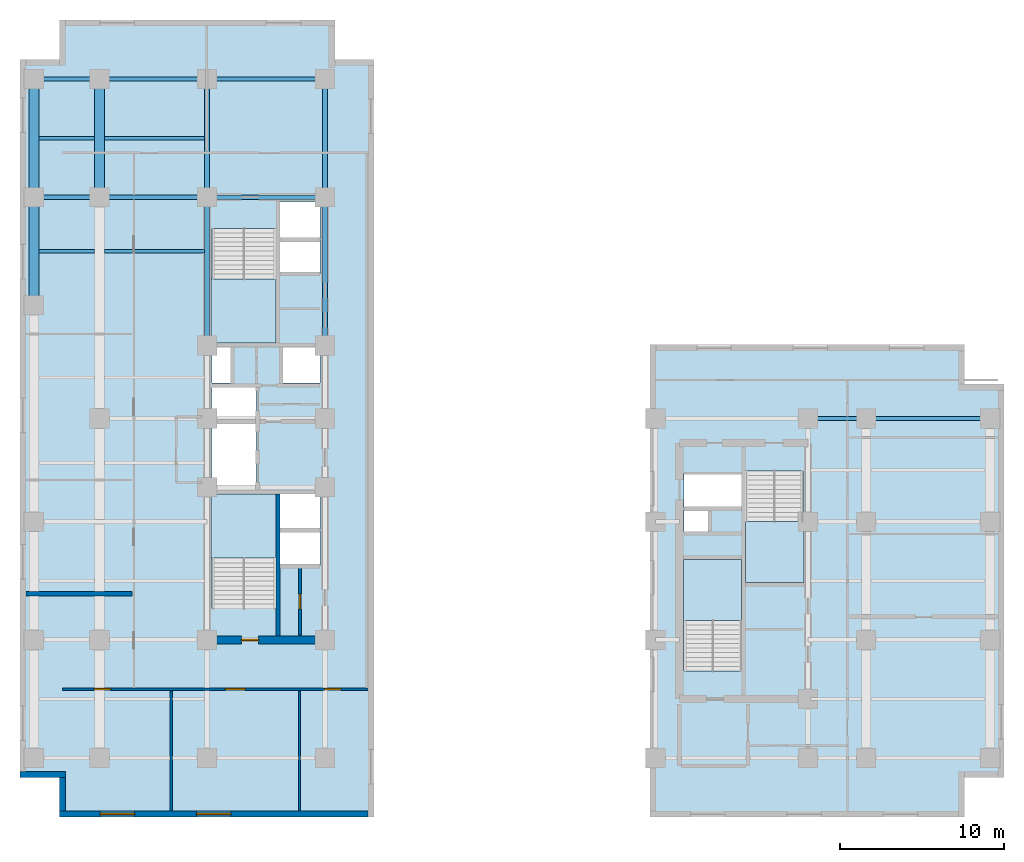
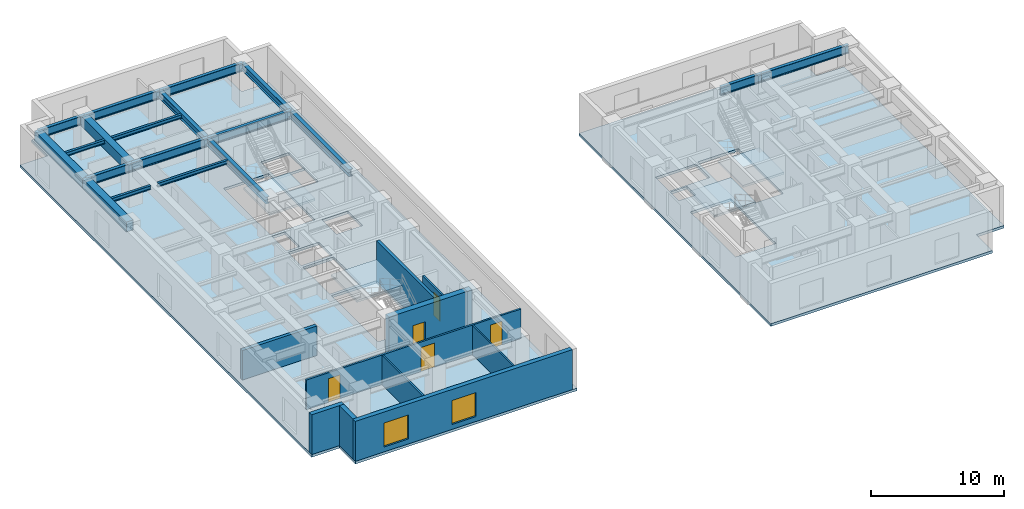
# One storey, part 2 of 9: 19 beams, 10 walls, 6 slabs, 5 doors, 2 windows, 7 openings, 4 elements without a shape of their own.
"""IFC4 building model written with IfcOpenShell, lengths in metres."""

from ifc_helpers import new_model, entity, si_unit, converted_unit, direction, frame, origin_with_axes, origin_2d_with_axis, place, context, subcontext, project, spatial, polyline, rectangle, i_section, outline, extrude, material, layer, layer_set, material_profile, profile_set, type_object, element, fill, aggregate, save


model = new_model("IFC4")

# Units and contexts
model_context = context("Model", 3, precision=1e-05, world=origin_with_axes(), true_north=direction((0.0, 1.0)))
body_context = subcontext(model_context, "Body", "Model", "MODEL_VIEW")
ifc_project = project(units=[si_unit("LENGTHUNIT", "METRE"), si_unit("AREAUNIT", "SQUARE_METRE"), si_unit("VOLUMEUNIT", "CUBIC_METRE"), converted_unit("PLANEANGLEUNIT", "DEGREE", entity("IfcPlaneAngleMeasure", 0.017453292519943295), si_unit("PLANEANGLEUNIT", "RADIAN"), dimensions=[0, 0, 0, 0, 0, 0, 0]), si_unit("MASSUNIT", "GRAM", prefix="KILO"), si_unit("THERMODYNAMICTEMPERATUREUNIT", "KELVIN")], contexts=[model_context])

# Site, building, storey
site_placement = place(None, origin_with_axes())
site = spatial("IfcSite", under=ifc_project, at=site_placement, CompositionType="ELEMENT")
building_placement = place(site_placement, origin_with_axes())
building = spatial("IfcBuilding", under=site, at=building_placement, Name="Varnlund Millrace Tower", CompositionType="ELEMENT")
storey_placement = place(building_placement, frame((0.0, 0.0, 93.0), z_axis=(0.0, 0.0, 1.0), x_axis=(1.0, 0.0, 0.0)))
storey = spatial("IfcBuildingStorey", under=building, at=storey_placement, Name="L22", CompositionType="ELEMENT", Elevation=93.0)

# Beams
ifc_material_1 = material(Name="Steel ASTM A992 Grade 50", Category="steel")
ifc_material_profile_1 = material_profile(ifc_material_1, i_section(OverallWidth=0.328, OverallDepth=0.628, WebThickness=0.0165, FlangeThickness=0.0277, FilletRadius=0.018, at=origin_2d_with_axis()), Name="Steel ASTM A992 Grade 50")
ifc_profile_set_1 = profile_set([ifc_material_profile_1], Name="Steel ASTM A992 Grade 50")
beam_type_1 = type_object("IfcBeamType", Name="Type-Girder-W24X146", PredefinedType="USERDEFINED", material=ifc_profile_set_1)
beam_1_placement = place(storey_placement, frame((11.4, 28.75, 3.346), z_axis=(0.0, 1.0, 0.0), x_axis=(-1.0, 0.0, 0.0)))
element("IfcBeam", 1, at=beam_1_placement, inside=storey, type_object=beam_type_1, Name="Type-Girder-W24X146", ObjectType="GIRDER", PredefinedType="USERDEFINED", context=body_context, shape_type="SweptSolid", body=[
    extrude(i_section(OverallWidth=0.328, OverallDepth=0.628, WebThickness=0.0165, FlangeThickness=0.0277, FilletRadius=0.018, at=origin_2d_with_axis()), origin_with_axes(), (0.0, 0.0, 1.0), 9.05),
])
beam_2_placement = place(storey_placement, frame((11.4, 37.8, 3.346), z_axis=(0.0, 1.0, 0.0), x_axis=(-1.0, 0.0, 0.0)))
element("IfcBeam", 2, at=beam_2_placement, inside=storey, type_object=beam_type_1, Name="Type-Girder-W24X146", ObjectType="GIRDER", PredefinedType="USERDEFINED", context=body_context, shape_type="SweptSolid", body=[
    extrude(i_section(OverallWidth=0.328, OverallDepth=0.628, WebThickness=0.0165, FlangeThickness=0.0277, FilletRadius=0.018, at=origin_2d_with_axis()), origin_with_axes(), (0.0, 0.0, 1.0), 7.2),
])
beam_3_placement = place(storey_placement, frame((18.6, 28.75, 3.346), z_axis=(0.0, 1.0, 0.0), x_axis=(-1.0, 0.0, 0.0)))
element("IfcBeam", 3, at=beam_3_placement, inside=storey, type_object=beam_type_1, Name="Type-Girder-W24X146", ObjectType="GIRDER", PredefinedType="USERDEFINED", context=body_context, shape_type="SweptSolid", body=[
    extrude(i_section(OverallWidth=0.328, OverallDepth=0.628, WebThickness=0.0165, FlangeThickness=0.0277, FilletRadius=0.018, at=origin_2d_with_axis()), origin_with_axes(), (0.0, 0.0, 1.0), 9.05),
])
beam_4_placement = place(storey_placement, frame((18.6, 37.8, 3.346), z_axis=(0.0, 1.0, 0.0), x_axis=(-1.0, 0.0, 0.0)))
element("IfcBeam", 4, at=beam_4_placement, inside=storey, type_object=beam_type_1, Name="Type-Girder-W24X146", ObjectType="GIRDER", PredefinedType="USERDEFINED", context=body_context, shape_type="SweptSolid", body=[
    extrude(i_section(OverallWidth=0.328, OverallDepth=0.628, WebThickness=0.0165, FlangeThickness=0.0277, FilletRadius=0.018, at=origin_2d_with_axis()), origin_with_axes(), (0.0, 0.0, 1.0), 7.2),
])
ifc_material_profile_2 = material_profile(ifc_material_1, i_section(OverallWidth=0.266, OverallDepth=0.779, WebThickness=0.0165, FlangeThickness=0.03, FilletRadius=0.02, at=origin_2d_with_axis()), Name="Steel ASTM A992 Grade 50")
ifc_profile_set_2 = profile_set([ifc_material_profile_2], Name="Steel ASTM A992 Grade 50")
beam_type_2 = type_object("IfcBeamType", Name="Type-Girder-W30X148", PredefinedType="USERDEFINED", material=ifc_profile_set_2)
beam_5_placement = place(storey_placement, frame((48.05, 24.3, 3.2705), z_axis=(1.0, 0.0, 0.0), x_axis=(0.0, 1.0, 0.0)))
element("IfcBeam", 5, at=beam_5_placement, inside=storey, type_object=beam_type_2, Name="Type-Girder-W30X148", ObjectType="GIRDER", PredefinedType="USERDEFINED", context=body_context, shape_type="SweptSolid", body=[
    extrude(i_section(OverallWidth=0.266, OverallDepth=0.779, WebThickness=0.0165, FlangeThickness=0.03, FilletRadius=0.02, at=origin_2d_with_axis()), origin_with_axes(), (0.0, 0.0, 1.0), 3.55),
])
beam_6_placement = place(storey_placement, frame((51.6, 24.3, 3.2705), z_axis=(1.0, 0.0, 0.0), x_axis=(0.0, 1.0, 0.0)))
element("IfcBeam", 6, at=beam_6_placement, inside=storey, type_object=beam_type_2, Name="Type-Girder-W30X148", ObjectType="GIRDER", PredefinedType="USERDEFINED", context=body_context, shape_type="SweptSolid", body=[
    extrude(i_section(OverallWidth=0.266, OverallDepth=0.779, WebThickness=0.0165, FlangeThickness=0.03, FilletRadius=0.02, at=origin_2d_with_axis()), origin_with_axes(), (0.0, 0.0, 1.0), 7.55),
])
beam_7_placement = place(storey_placement, frame((0.85, 37.8, 3.2705), z_axis=(1.0, 0.0, 0.0), x_axis=(0.0, 1.0, 0.0)))
element("IfcBeam", 7, at=beam_7_placement, inside=storey, type_object=beam_type_2, Name="Type-Girder-W30X148", ObjectType="GIRDER", PredefinedType="USERDEFINED", context=body_context, shape_type="SweptSolid", body=[
    extrude(i_section(OverallWidth=0.266, OverallDepth=0.779, WebThickness=0.0165, FlangeThickness=0.03, FilletRadius=0.02, at=origin_2d_with_axis()), origin_with_axes(), (0.0, 0.0, 1.0), 4.0),
])
beam_8_placement = place(storey_placement, frame((4.85, 37.8, 3.2705), z_axis=(1.0, 0.0, 0.0), x_axis=(0.0, 1.0, 0.0)))
element("IfcBeam", 8, at=beam_8_placement, inside=storey, type_object=beam_type_2, Name="Type-Girder-W30X148", ObjectType="GIRDER", PredefinedType="USERDEFINED", context=body_context, shape_type="SweptSolid", body=[
    extrude(i_section(OverallWidth=0.266, OverallDepth=0.779, WebThickness=0.0165, FlangeThickness=0.03, FilletRadius=0.02, at=origin_2d_with_axis()), origin_with_axes(), (0.0, 0.0, 1.0), 6.55),
])
beam_9_placement = place(storey_placement, frame((11.4, 37.8, 3.2705), z_axis=(1.0, 0.0, 0.0), x_axis=(0.0, 1.0, 0.0)))
element("IfcBeam", 9, at=beam_9_placement, inside=storey, type_object=beam_type_2, Name="Type-Girder-W30X148", ObjectType="GIRDER", PredefinedType="USERDEFINED", context=body_context, shape_type="SweptSolid", body=[
    extrude(i_section(OverallWidth=0.266, OverallDepth=0.779, WebThickness=0.0165, FlangeThickness=0.03, FilletRadius=0.02, at=origin_2d_with_axis()), origin_with_axes(), (0.0, 0.0, 1.0), 7.2),
])
beam_10_placement = place(storey_placement, frame((0.85, 45.0, 3.2705), z_axis=(1.0, 0.0, 0.0), x_axis=(0.0, 1.0, 0.0)))
element("IfcBeam", 10, at=beam_10_placement, inside=storey, type_object=beam_type_2, Name="Type-Girder-W30X148", ObjectType="GIRDER", PredefinedType="USERDEFINED", context=body_context, shape_type="SweptSolid", body=[
    extrude(i_section(OverallWidth=0.266, OverallDepth=0.779, WebThickness=0.0165, FlangeThickness=0.03, FilletRadius=0.02, at=origin_2d_with_axis()), origin_with_axes(), (0.0, 0.0, 1.0), 4.0),
])
beam_11_placement = place(storey_placement, frame((4.85, 45.0, 3.2705), z_axis=(1.0, 0.0, 0.0), x_axis=(0.0, 1.0, 0.0)))
element("IfcBeam", 11, at=beam_11_placement, inside=storey, type_object=beam_type_2, Name="Type-Girder-W30X148", ObjectType="GIRDER", PredefinedType="USERDEFINED", context=body_context, shape_type="SweptSolid", body=[
    extrude(i_section(OverallWidth=0.266, OverallDepth=0.779, WebThickness=0.0165, FlangeThickness=0.03, FilletRadius=0.02, at=origin_2d_with_axis()), origin_with_axes(), (0.0, 0.0, 1.0), 6.55),
])
beam_12_placement = place(storey_placement, frame((11.4, 45.0, 3.2705), z_axis=(1.0, 0.0, 0.0), x_axis=(0.0, 1.0, 0.0)))
element("IfcBeam", 12, at=beam_12_placement, inside=storey, type_object=beam_type_2, Name="Type-Girder-W30X148", ObjectType="GIRDER", PredefinedType="USERDEFINED", context=body_context, shape_type="SweptSolid", body=[
    extrude(i_section(OverallWidth=0.266, OverallDepth=0.779, WebThickness=0.0165, FlangeThickness=0.03, FilletRadius=0.02, at=origin_2d_with_axis()), origin_with_axes(), (0.0, 0.0, 1.0), 7.2),
])
ifc_material_profile_3 = material_profile(ifc_material_1, i_section(OverallWidth=0.204, OverallDepth=0.35, WebThickness=0.0086, FlangeThickness=0.0151, FilletRadius=0.013, at=origin_2d_with_axis()), Name="Steel ASTM A992 Grade 50")
ifc_profile_set_3 = profile_set([ifc_material_profile_3], Name="Steel ASTM A992 Grade 50")
beam_type_3 = type_object("IfcBeamType", Name="Type-Joist-W14X48", PredefinedType="JOIST", material=ifc_profile_set_3)
for number, where, z_axis, x_axis, name in (
    (13, (1.15, 34.5, 3.485), (1.0, 0.0, 0.0), (0.0, 1.0, 0.0), "Type-Joist-W14X48"),
    (14, (1.15, 41.4, 3.485), (1.0, 0.0, 0.0), (0.0, 1.0, 0.0), "Type-Joist-W14X48"),
):
    element("IfcBeam", number, at=place(storey_placement, frame(where, z_axis=z_axis, x_axis=x_axis)), inside=storey, type_object=beam_type_3, Name=name, PredefinedType="JOIST", context=body_context, shape_type="SweptSolid", body=[
        extrude(i_section(OverallWidth=0.204, OverallDepth=0.35, WebThickness=0.0086, FlangeThickness=0.0151, FilletRadius=0.013, at=origin_2d_with_axis()), origin_with_axes(), (0.0, 0.0, 1.0), 3.4),
    ])
for number, where, z_axis, x_axis, name in (
    (15, (5.15, 34.5, 3.485), (1.0, 0.0, 0.0), (0.0, 1.0, 0.0), "Type-Joist-W14X48"),
    (16, (5.15, 41.4, 3.485), (1.0, 0.0, 0.0), (0.0, 1.0, 0.0), "Type-Joist-W14X48"),
):
    element("IfcBeam", number, at=place(storey_placement, frame(where, z_axis=z_axis, x_axis=x_axis)), inside=storey, type_object=beam_type_3, Name=name, PredefinedType="JOIST", context=body_context, shape_type="SweptSolid", body=[
        extrude(i_section(OverallWidth=0.204, OverallDepth=0.35, WebThickness=0.0086, FlangeThickness=0.0151, FilletRadius=0.013, at=origin_2d_with_axis()), origin_with_axes(), (0.0, 0.0, 1.0), 6.086),
    ])
ifc_material_2 = material(Name="Concrete C70/85", Category="concrete")
ifc_material_profile_4 = material_profile(ifc_material_2, rectangle(XDim=0.6, YDim=0.9, at=origin_2d_with_axis()), Name="Concrete C70/85")
ifc_profile_set_4 = profile_set([ifc_material_profile_4], Name="Concrete C70/85")
beam_type_4 = type_object("IfcBeamType", Name="Type-Spandrel-RC600X900", PredefinedType="SPANDREL", material=ifc_profile_set_4)
beam_13_placement = place(storey_placement, frame((0.85, 31.2, 3.21), z_axis=(0.0, 1.0, 0.0), x_axis=(-1.0, 0.0, 0.0)))
element("IfcBeam", 17, at=beam_13_placement, inside=storey, type_object=beam_type_4, Name="Type-Spandrel-RC600X900", PredefinedType="SPANDREL", context=body_context, shape_type="SweptSolid", body=[
    extrude(rectangle(XDim=0.6, YDim=0.9, at=origin_2d_with_axis()), origin_with_axes(), (0.0, 0.0, 1.0), 6.6),
])
for number, where, z_axis, x_axis, name in (
    (18, (0.85, 37.8, 3.21), (0.0, 1.0, 0.0), (-1.0, 0.0, 0.0), "Type-Spandrel-RC600X900"),
    (19, (4.85, 37.8, 3.21), (0.0, 1.0, 0.0), (-1.0, 0.0, 0.0), "Type-Spandrel-RC600X900"),
):
    element("IfcBeam", number, at=place(storey_placement, frame(where, z_axis=z_axis, x_axis=x_axis)), inside=storey, type_object=beam_type_4, Name=name, PredefinedType="SPANDREL", context=body_context, shape_type="SweptSolid", body=[
        extrude(rectangle(XDim=0.6, YDim=0.9, at=origin_2d_with_axis()), origin_with_axes(), (0.0, 0.0, 1.0), 7.2),
    ])

# Slabs
ifc_material_3 = material(Name="Concrete C60/75", Category="concrete")
ifc_layer_1 = layer(ifc_material_3, 0.24, Name="Concrete C60/75")
ifc_layer_set_1 = layer_set([ifc_layer_1], Name="Concrete C60/75")
slab_type_1 = type_object("IfcSlabType", Name="Type-Deck-Plate-Typical-240", PredefinedType="FLOOR", material=ifc_layer_set_1)
slab_1_placement = place(storey_placement, frame((0.0, 0.0, -0.24), z_axis=(0.0, 0.0, 1.0), x_axis=(1.0, 0.0, 0.0)))
element("IfcSlab", 20, at=slab_1_placement, inside=storey, type_object=slab_type_1, Name="Type-Deck-Plate-Typical-240", PredefinedType="FLOOR", context=body_context, shape_type="SweptSolid", body=[
    extrude(outline(polyline([(2.4, 2.4), (2.4, 0.0), (21.6, 0.0), (21.6, 46.2), (19.2, 46.2), (19.2, 48.6), (2.4, 48.6), (2.4, 46.2), (0.0, 46.2), (0.0, 2.4), (2.4, 2.4)]), holes=[polyline([(15.6, 19.7), (15.6, 12.715), (11.7, 12.715), (11.7, 19.7), (15.6, 19.7)]), polyline([(11.7, 23.98), (14.38, 23.98), (14.38, 19.94), (11.7, 19.94), (11.7, 23.98)]), polyline([(14.38, 24.24), (11.7, 24.24), (11.7, 26.2), (14.38, 26.2), (14.38, 24.24)]), polyline([(12.84, 26.46), (11.7, 26.46), (11.7, 28.65), (12.84, 28.65), (12.84, 26.46)]), polyline([(15.6, 35.885), (15.6, 28.9), (11.7, 28.9), (11.7, 35.885), (15.6, 35.885)]), polyline([(18.3, 15.34), (15.84, 15.34), (15.84, 17.46), (18.3, 17.46), (18.3, 15.34)]), polyline([(18.3, 17.52), (15.84, 17.52), (15.84, 19.7), (18.3, 19.7), (18.3, 17.52)]), polyline([(18.3, 28.65), (18.3, 26.46), (16.04, 26.46), (16.04, 28.65), (18.3, 28.65)]), polyline([(18.3, 33.12), (15.84, 33.12), (15.84, 35.18), (18.3, 35.18), (18.3, 33.12)]), polyline([(18.3, 35.22), (15.84, 35.22), (15.84, 37.5), (18.3, 37.5), (18.3, 35.22)])]), origin_with_axes(), (0.0, 0.0, 1.0), 0.24),
])
slab_2_placement = place(storey_placement, frame((0.0, 0.0, -0.24), z_axis=(0.0, 0.0, 1.0), x_axis=(1.0, 0.0, 0.0)))
element("IfcSlab", 21, at=slab_2_placement, inside=storey, type_object=slab_type_1, Name="Type-Deck-Plate-Typical-240", PredefinedType="FLOOR", context=body_context, shape_type="SweptSolid", body=[
    extrude(outline(polyline([(38.4, 0.0), (57.6, 0.0), (57.6, 2.4), (60.0, 2.4), (60.0, 26.4), (57.6, 26.4), (57.6, 28.8), (38.4, 28.8), (38.4, 0.0)]), holes=[polyline([(40.5, 15.7), (44.0, 15.7), (44.0, 8.915), (40.5, 8.915), (40.5, 15.7)]), polyline([(44.25, 21.085), (47.75, 21.085), (47.75, 14.3), (44.25, 14.3), (44.25, 21.085)]), polyline([(40.5, 18.72), (41.95, 18.72), (41.95, 17.42), (40.5, 17.42), (40.5, 18.72)]), polyline([(40.5, 20.94), (44.0, 20.94), (44.0, 18.88), (40.5, 18.88), (40.5, 20.94)])]), origin_with_axes(), (0.0, 0.0, 1.0), 0.24),
])

# Stair, slab
ifc_material_4 = material(Name="Concrete C50/60", Category="concrete")
stair_type_1 = type_object("IfcStairType", Name="Type-Stair-Dogleg-185-390", PredefinedType="HALF_TURN_STAIR", material=ifc_material_4)
stair_1_placement = place(storey_placement, origin_with_axes())
stair_1 = element("IfcStair", 22, at=stair_1_placement, inside=storey, type_object=stair_type_1, Name="Type-Stair-Dogleg-185-390", PredefinedType="HALF_TURN_STAIR")
ifc_layer_2 = layer(ifc_material_4, 0.2, Name="Concrete C50/60")
ifc_layer_set_2 = layer_set([ifc_layer_2], Name="Concrete C50/60")
slab_type_2 = type_object("IfcSlabType", Name="Type-StairLanding-200", PredefinedType="LANDING", material=ifc_layer_set_2)
slab_3_placement = place(storey_placement, frame((0.0, 0.0, 1.75), z_axis=(0.0, 0.0, 1.0), x_axis=(1.0, 0.0, 0.0)))
slab_3 = element("IfcSlab", 23, at=slab_3_placement, type_object=slab_type_2, Name="ST-A1 landing 1", PredefinedType="LANDING", context=body_context, shape_type="SweptSolid", body=[
    extrude(outline(polyline([(15.6, 15.78), (15.6, 19.7), (11.65, 19.7), (11.65, 15.78), (15.6, 15.78)])), origin_with_axes(), (0.0, 0.0, 1.0), 0.2),
])
aggregate(stair_1, [slab_3])

stair_2_placement = place(storey_placement, origin_with_axes())
stair_2 = element("IfcStair", 24, at=stair_2_placement, inside=storey, type_object=stair_type_1, Name="Type-Stair-Dogleg-185-390", PredefinedType="HALF_TURN_STAIR")
slab_4_placement = place(storey_placement, frame((0.0, 0.0, 1.75), z_axis=(0.0, 0.0, 1.0), x_axis=(1.0, 0.0, 0.0)))
slab_4 = element("IfcSlab", 25, at=slab_4_placement, type_object=slab_type_2, Name="ST-A2 landing 1", PredefinedType="LANDING", context=body_context, shape_type="SweptSolid", body=[
    extrude(outline(polyline([(11.65, 32.82), (11.65, 28.9), (15.6, 28.9), (15.6, 32.82), (11.65, 32.82)])), origin_with_axes(), (0.0, 0.0, 1.0), 0.2),
])
aggregate(stair_2, [slab_4])

stair_type_2 = type_object("IfcStairType", Name="Type-Stair-Dogleg-165-390", PredefinedType="HALF_TURN_STAIR", material=ifc_material_4)
stair_3_placement = place(storey_placement, origin_with_axes())
stair_3 = element("IfcStair", 26, at=stair_3_placement, inside=storey, type_object=stair_type_2, Name="Type-Stair-Dogleg-165-390", PredefinedType="HALF_TURN_STAIR")
slab_5_placement = place(storey_placement, frame((0.0, 0.0, 1.75), z_axis=(0.0, 0.0, 1.0), x_axis=(1.0, 0.0, 0.0)))
slab_5 = element("IfcSlab", 27, at=slab_5_placement, type_object=slab_type_2, Name="ST-B1 landing 1", PredefinedType="LANDING", context=body_context, shape_type="SweptSolid", body=[
    extrude(outline(polyline([(44.0, 11.98), (44.0, 15.7), (40.45, 15.7), (40.45, 11.98), (44.0, 11.98)])), origin_with_axes(), (0.0, 0.0, 1.0), 0.2),
])
aggregate(stair_3, [slab_5])

stair_4_placement = place(storey_placement, origin_with_axes())
stair_4 = element("IfcStair", 28, at=stair_4_placement, inside=storey, type_object=stair_type_2, Name="Type-Stair-Dogleg-165-390", PredefinedType="HALF_TURN_STAIR")
slab_6_placement = place(storey_placement, frame((0.0, 0.0, 1.75), z_axis=(0.0, 0.0, 1.0), x_axis=(1.0, 0.0, 0.0)))
slab_6 = element("IfcSlab", 29, at=slab_6_placement, type_object=slab_type_2, Name="ST-B2 landing 1", PredefinedType="LANDING", context=body_context, shape_type="SweptSolid", body=[
    extrude(outline(polyline([(44.25, 18.02), (44.25, 14.3), (47.8, 14.3), (47.8, 18.02), (44.25, 18.02)])), origin_with_axes(), (0.0, 0.0, 1.0), 0.2),
])
aggregate(stair_4, [slab_6])

# Wall, opening, door
ifc_layer_3 = layer(ifc_material_2, 0.5, Name="Concrete C70/85")
ifc_layer_set_3 = layer_set([ifc_layer_3], Name="Concrete C70/85")
wall_type_1 = type_object("IfcWallType", Name="Type-CoreWall-Shear-500-C70", PredefinedType="SHEAR", material=ifc_layer_set_3)
wall_1_placement = place(storey_placement, frame((11.4, 10.8, 0.0), z_axis=(0.0, 0.0, 1.0), x_axis=(1.0, 0.0, 0.0)))
wall_1 = element("IfcWall", 30, at=wall_1_placement, inside=storey, type_object=wall_type_1, Name="Type-CoreWall-Shear-500-C70", PredefinedType="SHEAR", context=body_context, shape_type="SweptSolid", body=[
    extrude(outline(polyline([(0.0, -0.25), (7.2, -0.25), (7.2, 0.25), (0.0, 0.25), (0.0, -0.25)])), origin_with_axes(), (0.0, 0.0, 1.0), 3.66),
])
opening_1_placement = place(wall_1_placement, frame((2.625, 0.0, 0.0), z_axis=(0.0, 0.0, 1.0), x_axis=(1.0, 0.0, 0.0)))
opening_1 = element("IfcOpeningElement", 31, at=opening_1_placement, cuts=wall_1, Name="Opening L22:DR-STA1", PredefinedType="OPENING", context=body_context, shape_type="SweptSolid", body=[
    extrude(rectangle(XDim=1.05, YDim=0.52, at=origin_2d_with_axis()), origin_with_axes(), (0.0, 0.0, 1.0), 2.15),
])
ifc_material_5 = material(Name="Fire-rated hollow steel door", Category="steel")
door_type_1 = type_object("IfcDoorType", Name="Type-FireDoor-Stair-1050X2150", OperationType="NOTDEFINED", PredefinedType="DOOR", material=ifc_material_5)
door_1_placement = place(wall_1_placement, frame((2.625, 0.0, 0.0), z_axis=(0.0, 0.0, 1.0), x_axis=(1.0, 0.0, 0.0)))
door_1 = element("IfcDoor", 32, at=door_1_placement, inside=storey, type_object=door_type_1, Name="Type-FireDoor-Stair-1050X2150", OperationType="SINGLE_SWING_LEFT", OverallHeight=2.15, OverallWidth=1.05, PredefinedType="DOOR", context=body_context, shape_type="SweptSolid", body=[
    extrude(rectangle(XDim=1.05, YDim=0.09, at=origin_2d_with_axis()), origin_with_axes(), (0.0, 0.0, 1.0), 2.15),
])
fill(opening_1, door_1)

# Wall, openings, windows
ifc_material_6 = material(Name="Precast concrete C50/60", Category="concrete")
ifc_layer_4 = layer(ifc_material_6, 0.38, Name="Precast concrete C50/60")
ifc_layer_set_4 = layer_set([ifc_layer_4], Name="Precast concrete C50/60")
wall_type_2 = type_object("IfcWallType", Name="Type-ExtWall-Precast-Tube-380", PredefinedType="SOLIDWALL", material=ifc_layer_set_4)
wall_2_placement = place(storey_placement, frame((21.22, 0.19, 0.0), z_axis=(0.0, 0.0, 1.0), x_axis=(-1.0, 0.0, 0.0)))
wall_2 = element("IfcWall", 33, at=wall_2_placement, inside=storey, type_object=wall_type_2, Name="Type-ExtWall-Precast-Tube-380", PredefinedType="SOLIDWALL", context=body_context, shape_type="SweptSolid", body=[
    extrude(outline(polyline([(0.0, -0.19), (18.82, -0.19), (18.82, 0.19), (0.0, 0.19), (0.0, -0.19)])), origin_with_axes(), (0.0, 0.0, 1.0), 3.66),
])
opening_2_placement = place(wall_2_placement, frame((9.41, 0.0, 0.45), z_axis=(0.0, 0.0, 1.0), x_axis=(1.0, 0.0, 0.0)))
opening_2 = element("IfcOpeningElement", 34, at=opening_2_placement, cuts=wall_2, Name="Opening L22:WN-10", PredefinedType="OPENING", context=body_context, shape_type="SweptSolid", body=[
    extrude(rectangle(XDim=2.1, YDim=0.4, at=origin_2d_with_axis()), origin_with_axes(), (0.0, 0.0, 1.0), 2.2),
])
opening_3_placement = place(wall_2_placement, frame((15.283, 0.0, 0.45), z_axis=(0.0, 0.0, 1.0), x_axis=(1.0, 0.0, 0.0)))
opening_3 = element("IfcOpeningElement", 35, at=opening_3_placement, cuts=wall_2, Name="Opening L22:WN-11", PredefinedType="OPENING", context=body_context, shape_type="SweptSolid", body=[
    extrude(rectangle(XDim=2.1, YDim=0.4, at=origin_2d_with_axis()), origin_with_axes(), (0.0, 0.0, 1.0), 2.2),
])
ifc_material_7 = material(Name="Argon low-e triple glazing in thermally broken bronze frame", Category="glass")
window_type = type_object("IfcWindowType", Name="Type-Window-Punched-2100X2200", PartitioningType="SINGLE_PANEL", PredefinedType="WINDOW", material=ifc_material_7)
window_1_placement = place(wall_2_placement, frame((9.41, 0.0, 0.45), z_axis=(0.0, 0.0, 1.0), x_axis=(1.0, 0.0, 0.0)))
window_1 = element("IfcWindow", 36, at=window_1_placement, inside=storey, type_object=window_type, Name="Type-Window-Punched-2100X2200", OverallHeight=2.2, OverallWidth=2.1, PredefinedType="WINDOW", context=body_context, shape_type="SweptSolid", body=[
    extrude(rectangle(XDim=2.1, YDim=0.09, at=origin_2d_with_axis()), origin_with_axes(), (0.0, 0.0, 1.0), 2.2),
])
fill(opening_2, window_1)
window_2_placement = place(wall_2_placement, frame((15.283, 0.0, 0.45), z_axis=(0.0, 0.0, 1.0), x_axis=(1.0, 0.0, 0.0)))
window_2 = element("IfcWindow", 37, at=window_2_placement, inside=storey, type_object=window_type, Name="Type-Window-Punched-2100X2200", OverallHeight=2.2, OverallWidth=2.1, PredefinedType="WINDOW", context=body_context, shape_type="SweptSolid", body=[
    extrude(rectangle(XDim=2.1, YDim=0.09, at=origin_2d_with_axis()), origin_with_axes(), (0.0, 0.0, 1.0), 2.2),
])
fill(opening_3, window_2)

# Walls
wall_3_placement = place(storey_placement, frame((2.59, 0.38, 0.0), z_axis=(0.0, 0.0, 1.0), x_axis=(0.0, 1.0, 0.0)))
element("IfcWall", 38, at=wall_3_placement, inside=storey, type_object=wall_type_2, Name="Type-ExtWall-Precast-Tube-380", PredefinedType="SOLIDWALL", context=body_context, shape_type="SweptSolid", body=[
    extrude(outline(polyline([(0.0, -0.19), (2.02, -0.19), (2.02, 0.19), (0.0, 0.19), (0.0, -0.19)])), origin_with_axes(), (0.0, 0.0, 1.0), 3.66),
])
wall_4_placement = place(storey_placement, frame((2.78, 2.59, 0.0), z_axis=(0.0, 0.0, 1.0), x_axis=(-1.0, 0.0, 0.0)))
element("IfcWall", 39, at=wall_4_placement, inside=storey, type_object=wall_type_2, Name="Type-ExtWall-Precast-Tube-380", PredefinedType="SOLIDWALL", context=body_context, shape_type="SweptSolid", body=[
    extrude(outline(polyline([(0.0, -0.19), (2.78, -0.19), (2.78, 0.19), (0.0, 0.19), (0.0, -0.19)])), origin_with_axes(), (0.0, 0.0, 1.0), 3.66),
])
ifc_material_8 = material(Name="Double-stud STC-60 conference acoustic partition", Category="gypsum")
ifc_layer_5 = layer(ifc_material_8, 0.28, Name="Double-stud STC-60 conference acoustic partition")
ifc_layer_set_5 = layer_set([ifc_layer_5], Name="Double-stud STC-60 conference acoustic partition")
wall_type_3 = type_object("IfcWallType", Name="Type-Partition-Acoustic-280", PredefinedType="PARTITIONING", material=ifc_layer_set_5)
wall_5_placement = place(storey_placement, frame((0.375, 13.604, 0.0), z_axis=(0.0, 0.0, 1.0), x_axis=(1.0, 0.0, 0.0)))
element("IfcWall", 40, at=wall_5_placement, inside=storey, type_object=wall_type_3, Name="Type-Partition-Acoustic-280", PredefinedType="PARTITIONING", context=body_context, shape_type="SweptSolid", body=[
    extrude(outline(polyline([(0.0, -0.14), (6.455, -0.14), (6.455, 0.14), (0.0, 0.14), (0.0, -0.14)])), origin_with_axes(), (0.0, 0.0, 1.0), 2.7),
])

# Wall, opening, door
ifc_material_9 = material(Name="Fire-rated gypsum board on cold-formed steel framing", Category="steel")
ifc_layer_6 = layer(ifc_material_9, 0.16, Name="Fire-rated gypsum board on cold-formed steel framing")
ifc_layer_set_6 = layer_set([ifc_layer_6], Name="Fire-rated gypsum board on cold-formed steel framing")
wall_type_4 = type_object("IfcWallType", Name="Type-Partition-Corridor-160", PredefinedType="PARTITIONING", material=ifc_layer_set_6)
wall_6_placement = place(storey_placement, frame((17.07, 11.1, 0.0), z_axis=(0.0, 0.0, 1.0), x_axis=(0.0, 1.0, 0.0)))
wall_6 = element("IfcWall", 41, at=wall_6_placement, inside=storey, type_object=wall_type_4, Name="Type-Partition-Corridor-160", PredefinedType="PARTITIONING", context=body_context, shape_type="SweptSolid", body=[
    extrude(outline(polyline([(0.0, -0.08), (4.1, -0.08), (4.1, 0.08), (0.0, 0.08), (0.0, -0.08)])), origin_with_axes(), (0.0, 0.0, 1.0), 2.7),
])
opening_4_placement = place(wall_6_placement, frame((2.05, 0.0, 0.0), z_axis=(0.0, 0.0, 1.0), x_axis=(1.0, 0.0, 0.0)))
opening_4 = element("IfcOpeningElement", 42, at=opening_4_placement, cuts=wall_6, Name="Opening L22:DR-RECL-L1", PredefinedType="OPENING", context=body_context, shape_type="SweptSolid", body=[
    extrude(rectangle(XDim=0.9, YDim=0.18, at=origin_2d_with_axis()), origin_with_axes(), (0.0, 0.0, 1.0), 2.15),
])
ifc_material_10 = material(Name="Painted steel riser and closet door", Category="steel")
door_type_2 = type_object("IfcDoorType", Name="Type-IntDoor-Closet-900X2150", OperationType="NOTDEFINED", PredefinedType="DOOR", material=ifc_material_10)
door_2_placement = place(wall_6_placement, frame((2.05, 0.0, 0.0), z_axis=(0.0, 0.0, 1.0), x_axis=(1.0, 0.0, 0.0)))
door_2 = element("IfcDoor", 43, at=door_2_placement, inside=storey, type_object=door_type_2, Name="Type-IntDoor-Closet-900X2150", OperationType="SINGLE_SWING_LEFT", OverallHeight=2.15, OverallWidth=0.9, PredefinedType="DOOR", context=body_context, shape_type="SweptSolid", body=[
    extrude(rectangle(XDim=0.9, YDim=0.09, at=origin_2d_with_axis()), origin_with_axes(), (0.0, 0.0, 1.0), 2.15),
])
fill(opening_4, door_2)

# Wall, openings, doors
wall_7_placement = place(storey_placement, frame((2.6, 7.8, 0.0), z_axis=(0.0, 0.0, 1.0), x_axis=(1.0, 0.0, 0.0)))
wall_7 = element("IfcWall", 44, at=wall_7_placement, inside=storey, type_object=wall_type_4, Name="Type-Partition-Corridor-160", PredefinedType="PARTITIONING", context=body_context, shape_type="SweptSolid", body=[
    extrude(outline(polyline([(0.0, -0.08), (18.625, -0.08), (18.625, 0.08), (0.0, 0.08), (0.0, -0.08)])), origin_with_axes(), (0.0, 0.0, 1.0), 2.7),
])
opening_5_placement = place(wall_7_placement, frame((2.42, 0.0, 0.0), z_axis=(0.0, 0.0, 1.0), x_axis=(1.0, 0.0, 0.0)))
opening_5 = element("IfcOpeningElement", 45, at=opening_5_placement, cuts=wall_7, Name="Opening L22:DR-WAS-01", PredefinedType="OPENING", context=body_context, shape_type="SweptSolid", body=[
    extrude(rectangle(XDim=1.0, YDim=0.18, at=origin_2d_with_axis()), origin_with_axes(), (0.0, 0.0, 1.0), 2.15),
])
opening_6_placement = place(wall_7_placement, frame((10.523, 0.0, 0.0), z_axis=(0.0, 0.0, 1.0), x_axis=(1.0, 0.0, 0.0)))
opening_6 = element("IfcOpeningElement", 46, at=opening_6_placement, cuts=wall_7, Name="Opening L22:DR-WAS-02", PredefinedType="OPENING", context=body_context, shape_type="SweptSolid", body=[
    extrude(rectangle(XDim=1.2, YDim=0.18, at=origin_2d_with_axis()), origin_with_axes(), (0.0, 0.0, 1.0), 2.2),
])
opening_7_placement = place(wall_7_placement, frame((16.468, 0.0, 0.0), z_axis=(0.0, 0.0, 1.0), x_axis=(1.0, 0.0, 0.0)))
opening_7 = element("IfcOpeningElement", 47, at=opening_7_placement, cuts=wall_7, Name="Opening L22:DR-WAS-03", PredefinedType="OPENING", context=body_context, shape_type="SweptSolid", body=[
    extrude(rectangle(XDim=1.0, YDim=0.18, at=origin_2d_with_axis()), origin_with_axes(), (0.0, 0.0, 1.0), 2.15),
])
ifc_material_11 = material(Name="Wide executive white oak acoustic door")
door_type_3 = type_object("IfcDoorType", Name="Type-IntDoor-Exec-1200X2200", OperationType="NOTDEFINED", PredefinedType="DOOR", material=ifc_material_11)
door_3_placement = place(wall_7_placement, frame((10.523, 0.0, 0.0), z_axis=(0.0, 0.0, 1.0), x_axis=(1.0, 0.0, 0.0)))
door_3 = element("IfcDoor", 48, at=door_3_placement, inside=storey, type_object=door_type_3, Name="Type-IntDoor-Exec-1200X2200", OperationType="SINGLE_SWING_RIGHT", OverallHeight=2.2, OverallWidth=1.2, PredefinedType="DOOR", context=body_context, shape_type="SweptSolid", body=[
    extrude(rectangle(XDim=1.2, YDim=0.09, at=origin_2d_with_axis()), origin_with_axes(), (0.0, 0.0, 1.0), 2.2),
])
fill(opening_6, door_3)
ifc_material_12 = material(Name="Solid-core white oak and bronze frame door")
door_type_4 = type_object("IfcDoorType", Name="Type-IntDoor-Office-1000X2150", OperationType="NOTDEFINED", PredefinedType="DOOR", material=ifc_material_12)
door_4_placement = place(wall_7_placement, frame((2.42, 0.0, 0.0), z_axis=(0.0, 0.0, 1.0), x_axis=(1.0, 0.0, 0.0)))
door_4 = element("IfcDoor", 49, at=door_4_placement, inside=storey, type_object=door_type_4, Name="Type-IntDoor-Office-1000X2150", OperationType="SINGLE_SWING_LEFT", OverallHeight=2.15, OverallWidth=1.0, PredefinedType="DOOR", context=body_context, shape_type="SweptSolid", body=[
    extrude(rectangle(XDim=1.0, YDim=0.09, at=origin_2d_with_axis()), origin_with_axes(), (0.0, 0.0, 1.0), 2.15),
])
fill(opening_5, door_4)
door_5_placement = place(wall_7_placement, frame((16.468, 0.0, 0.0), z_axis=(0.0, 0.0, 1.0), x_axis=(1.0, 0.0, 0.0)))
door_5 = element("IfcDoor", 50, at=door_5_placement, inside=storey, type_object=door_type_4, Name="Type-IntDoor-Office-1000X2150", OperationType="SINGLE_SWING_LEFT", OverallHeight=2.15, OverallWidth=1.0, PredefinedType="DOOR", context=body_context, shape_type="SweptSolid", body=[
    extrude(rectangle(XDim=1.0, YDim=0.09, at=origin_2d_with_axis()), origin_with_axes(), (0.0, 0.0, 1.0), 2.15),
])
fill(opening_7, door_5)

# Walls
ifc_material_13 = material(Name="Acoustic STC-50 gypsum board partition", Category="gypsum")
ifc_layer_7 = layer(ifc_material_13, 0.15, Name="Acoustic STC-50 gypsum board partition")
ifc_layer_set_7 = layer_set([ifc_layer_7], Name="Acoustic STC-50 gypsum board partition")
wall_type_5 = type_object("IfcWallType", Name="Type-Partition-Demising-150", PredefinedType="PARTITIONING", material=ifc_layer_set_7)
wall_8_placement = place(storey_placement, frame((9.21, 0.36, 0.0), z_axis=(0.0, 0.0, 1.0), x_axis=(0.0, 1.0, 0.0)))
element("IfcWall", 51, at=wall_8_placement, inside=storey, type_object=wall_type_5, Name="Type-Partition-Demising-150", PredefinedType="PARTITIONING", context=body_context, shape_type="SweptSolid", body=[
    extrude(outline(polyline([(0.0, -0.075), (7.34, -0.075), (7.34, 0.075), (0.0, 0.075), (0.0, -0.075)])), origin_with_axes(), (0.0, 0.0, 1.0), 2.7),
])
ifc_material_14 = material(Name="Gypsum board tenant partition", Category="gypsum")
ifc_layer_8 = layer(ifc_material_14, 0.125, Name="Gypsum board tenant partition")
ifc_layer_set_8 = layer_set([ifc_layer_8], Name="Gypsum board tenant partition")
wall_type_6 = type_object("IfcWallType", Name="Type-Partition-Tenant-125", PredefinedType="PARTITIONING", material=ifc_layer_set_8)
wall_9_placement = place(storey_placement, frame((17.036, 0.36, 0.0), z_axis=(0.0, 0.0, 1.0), x_axis=(0.0, 1.0, 0.0)))
element("IfcWall", 52, at=wall_9_placement, inside=storey, type_object=wall_type_6, Name="Type-Partition-Tenant-125", PredefinedType="PARTITIONING", context=body_context, shape_type="SweptSolid", body=[
    extrude(outline(polyline([(0.0, -0.0625), (7.34, -0.0625), (7.34, 0.0625), (0.0, 0.0625), (0.0, -0.0625)])), origin_with_axes(), (0.0, 0.0, 1.0), 2.7),
])
ifc_layer_9 = layer(ifc_material_3, 0.25, Name="Concrete C60/75")
ifc_layer_set_9 = layer_set([ifc_layer_9], Name="Concrete C60/75")
wall_type_7 = type_object("IfcWallType", Name="Type-StairWall-Shear-250", PredefinedType="SHEAR", material=ifc_layer_set_9)
wall_10_placement = place(storey_placement, frame((15.725, 11.05, 0.0), z_axis=(0.0, 0.0, 1.0), x_axis=(0.0, 1.0, 0.0)))
element("IfcWall", 53, at=wall_10_placement, inside=storey, type_object=wall_type_7, Name="Type-StairWall-Shear-250", PredefinedType="SHEAR", context=body_context, shape_type="SweptSolid", body=[
    extrude(outline(polyline([(0.0, -0.125), (8.65, -0.125), (8.65, 0.125), (0.0, 0.125), (0.0, -0.125)])), origin_with_axes(), (0.0, 0.0, 1.0), 3.66),
])

save(model, "model.ifc")
